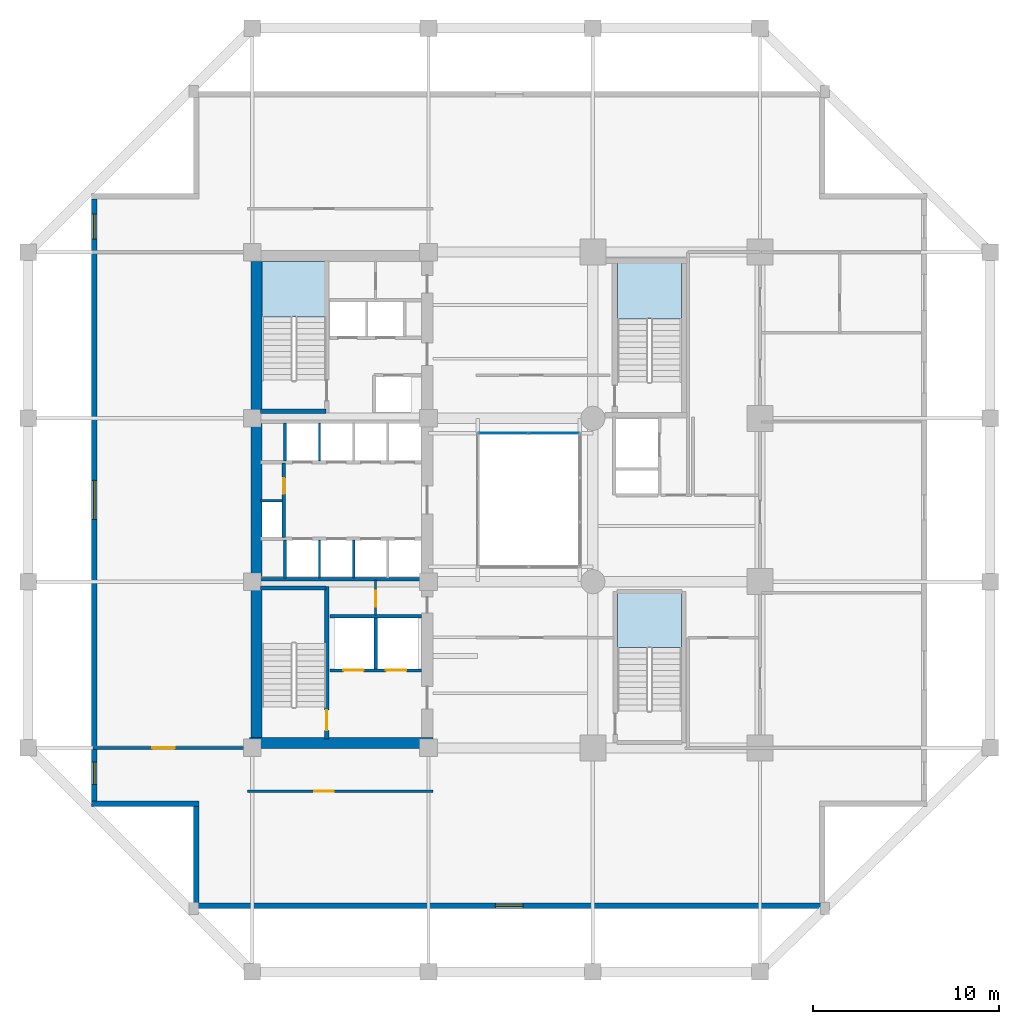
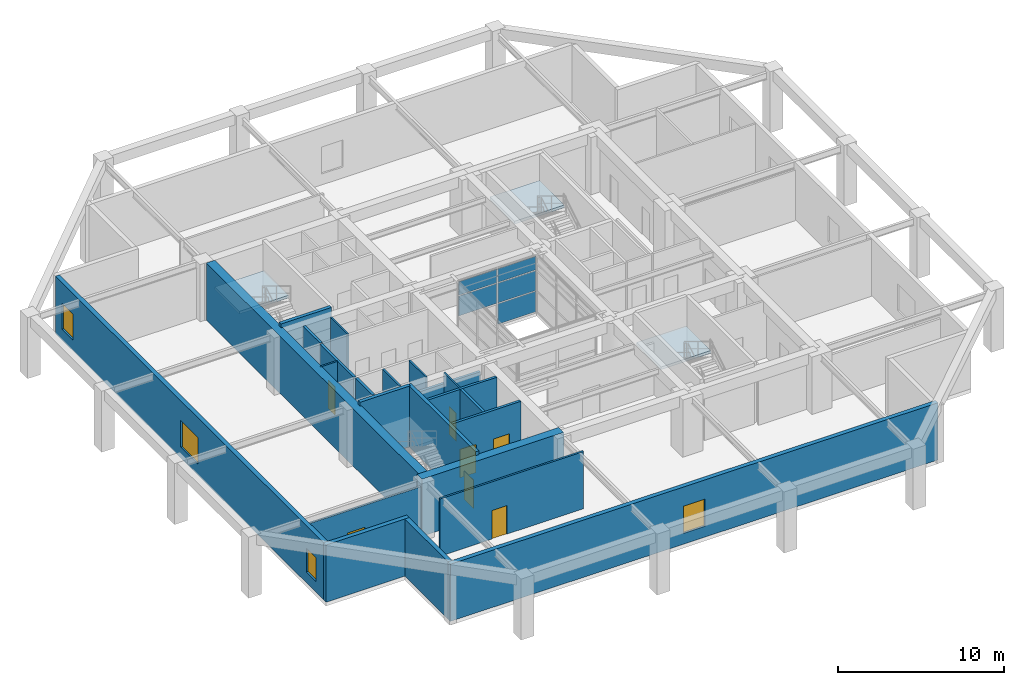
# One storey, part 6 of 10: 23 walls, 7 doors, 5 plates, 4 windows, 3 slabs, 11 openings, 4 elements without a shape of their own.
"""IFC4 building model written with IfcOpenShell, lengths in metres."""

import ifcopenshell
import ifcopenshell.guid

model = None  # the IFC model being written
_history = None  # IfcOwnerHistory: only IFC2X3 demands one
_inside = {}  # id of a spatial element -> (the spatial element, [elements in it])
_under = {}  # id of a project, library or spatial element -> (it, [spatial elements below it])
_declared = {}  # id of a project -> (the project, [libraries it declares])
_typed = {}  # id of a type object -> (the type object, [elements of that type])
_made_of = {}  # id of a material, layer set ... -> (it, [elements and type objects made of it])


def new_model(schema):
    """Start an empty IFC model of exactly this schema.

    Asked for "IFC4X3", IfcOpenShell would pick the latest addendum, in which some entities
    have other attributes; the version numbers below select the first issue.
    IFC2X3 requires an IfcOwnerHistory on every rooted entity: one is made here for all.
    """
    global model, _history
    if schema == "IFC4X3":
        model = ifcopenshell.file(schema_version=(4, 3, 0, 0))
    else:
        model = ifcopenshell.file(schema=schema)
    _inside.clear()
    _under.clear()
    _declared.clear()
    _typed.clear()
    _made_of.clear()
    _history = None
    if model.schema == "IFC2X3":
        org = make("IfcOrganization", Name="unknown")
        user = make(
            "IfcPersonAndOrganization",
            ThePerson=make("IfcPerson", FamilyName="unknown"),
            TheOrganization=org,
        )
        app = make(
            "IfcApplication",
            ApplicationDeveloper=org,
            Version="unknown",
            ApplicationFullName="unknown",
            ApplicationIdentifier="unknown",
        )
        _history = make(
            "IfcOwnerHistory",
            OwningUser=user,
            OwningApplication=app,
            ChangeAction="ADDED",
            CreationDate=0,
        )
    return model


def make(cls, **values):
    """One entity of the class cls with the attributes given. An attribute that is None is left unset."""
    return model.create_entity(
        cls, **{name: value for name, value in values.items() if value is not None}
    )


def rooted(cls, **values):
    """An entity with a GlobalId (a new one), such as an element, a storey or a relation."""
    return make(cls, GlobalId=ifcopenshell.guid.new(), OwnerHistory=_history, **values)


def si_unit(unit_type, name, prefix=None):
    """IfcSIUnit, for example si_unit("LENGTHUNIT", "METRE", prefix="MILLI")."""
    return make("IfcSIUnit", UnitType=unit_type, Prefix=prefix, Name=name)


def assignment(units):
    """IfcUnitAssignment: the units of a project."""
    return None if units is None else make("IfcUnitAssignment", Units=units)


def point(xyz):
    """IfcCartesianPoint."""
    return None if xyz is None else make("IfcCartesianPoint", Coordinates=xyz)


def direction(xyz):
    """IfcDirection."""
    return None if xyz is None else make("IfcDirection", DirectionRatios=xyz)


def frame(location, z_axis=None, x_axis=None):
    """IfcAxis2Placement3D, a coordinate frame: its origin and axes. An axis left out is left unset."""
    return make(
        "IfcAxis2Placement3D",
        Location=point(location),
        Axis=direction(z_axis),
        RefDirection=direction(x_axis),
    )


def frame_2d(location, x_axis=None):
    """IfcAxis2Placement2D, a coordinate frame in the plane: its origin and x axis."""
    return make(
        "IfcAxis2Placement2D", Location=point(location), RefDirection=direction(x_axis)
    )


def origin():
    """The frame at (0, 0, 0) with its axes left unset."""
    return frame((0.0, 0.0, 0.0))


def origin_2d():
    """The frame at (0, 0) in the plane with its x axis left unset."""
    return frame_2d((0.0, 0.0))


def place(relative_to, where):
    """IfcLocalPlacement: puts the frame where relative to a parent placement (None: the world)."""
    return make(
        "IfcLocalPlacement", PlacementRelTo=relative_to, RelativePlacement=where
    )


def context(
    kind, dimensions, precision=None, world=None, true_north=None, identifier=None
):
    """IfcGeometricRepresentationContext, for example the 3D "Model" context."""
    return make(
        "IfcGeometricRepresentationContext",
        ContextIdentifier=identifier,
        ContextType=kind,
        CoordinateSpaceDimension=dimensions,
        Precision=precision,
        WorldCoordinateSystem=world,
        TrueNorth=true_north,
    )


def subcontext(parent, identifier, kind, view, scale=None):
    """IfcGeometricRepresentationSubContext, for example "Body" below "Model"."""
    return make(
        "IfcGeometricRepresentationSubContext",
        ContextIdentifier=identifier,
        ContextType=kind,
        ParentContext=parent,
        TargetScale=scale,
        TargetView=view,
    )


def project(units=None, contexts=None):
    """IfcProject with its units and contexts."""
    return rooted(
        "IfcProject",
        Name="project",
        RepresentationContexts=contexts,
        UnitsInContext=assignment(units),
    )


def spatial(cls, under=None, at=None, **own):
    """A site, building, storey or space (cls), placed at a placement, below another one or the project."""
    s = rooted(cls, ObjectPlacement=at, **own)
    if under is not None:
        _under.setdefault(under.id(), (under, []))[1].append(s)
    return s


def polyline(points):
    """IfcPolyline through the points."""
    return make("IfcPolyline", Points=[point(p) for p in points])


def profile(cls, at=None, kind="AREA", **sizes):
    """A parametric profile (cls). Its sizes go by their IFC names, for example OverallWidth=200.0."""
    return make(cls, ProfileType=kind, Position=at, **sizes)


def rectangle(**sizes):
    """IfcRectangleProfileDef."""
    return profile("IfcRectangleProfileDef", **sizes)


def outline(outer, holes=None, kind="AREA"):
    """IfcArbitraryClosedProfileDef: a profile drawn as a closed curve; with holes, ...WithVoids."""
    if holes is None:
        return make("IfcArbitraryClosedProfileDef", ProfileType=kind, OuterCurve=outer)
    return make(
        "IfcArbitraryProfileDefWithVoids",
        ProfileType=kind,
        OuterCurve=outer,
        InnerCurves=holes,
    )


def extrude(swept, where, along, depth):
    """IfcExtrudedAreaSolid: the profile swept, set in the frame where, extruded along a direction by depth."""
    return make(
        "IfcExtrudedAreaSolid",
        SweptArea=swept,
        Position=where,
        ExtrudedDirection=direction(along),
        Depth=depth,
    )


def shape(context_of_items, identifier, shape_type, items):
    """IfcShapeRepresentation: the items that make up one representation, for example the "Body"."""
    return make(
        "IfcShapeRepresentation",
        ContextOfItems=context_of_items,
        RepresentationIdentifier=identifier,
        RepresentationType=shape_type,
        Items=items,
    )


def material(Name=None, Category=None):
    """IfcMaterial."""
    return make("IfcMaterial", Name=Name, Category=Category)


def layer(
    of_material, thickness, ventilated=None, Name=None, Category=None, Priority=None
):
    """IfcMaterialLayer: one layer of a wall or slab, of a material (None: an air gap)."""
    return make(
        "IfcMaterialLayer",
        Material=of_material,
        LayerThickness=thickness,
        IsVentilated=ventilated,
        Name=Name,
        Category=Category,
        Priority=Priority,
    )


def layer_set(layers, Name=None):
    """IfcMaterialLayerSet."""
    return make("IfcMaterialLayerSet", MaterialLayers=layers, LayerSetName=Name)


def made_of(thing, what):
    """Note that an element or type object is made of a material, layer set ...; save() writes the relation."""
    if what is not None:
        _made_of.setdefault(what.id(), (what, []))[1].append(thing)
    return thing


def type_object(cls, material=None, **own):
    """A type object (cls), such as IfcWallType, which elements share."""
    return made_of(rooted(cls, **own), material)


def element(
    cls,
    number,
    at=None,
    inside=None,
    cuts=None,
    type_object=None,
    material=None,
    context=None,
    identifier="Body",
    shape_type=None,
    held_by="IfcProductDefinitionShape",
    body=None,
    shapes=None,
    **own,
):
    """One element of the class cls, such as IfcWall. Its Tag is "e" and its number.

    at: its placement. inside: the storey or other place that contains it. cuts: it is an
    opening in that element (IfcRelVoidsElement). A single representation is given by context,
    identifier, shape_type and body (its items); several are given by shapes. held_by: the class
    of the entity that holds the representations. save() writes the other relations.
    """
    e = rooted(cls, Tag="e%d" % number, ObjectPlacement=at, **own)
    if body is not None:
        shapes = [shape(context, identifier, shape_type, body)]
    if shapes is not None:
        e.Representation = make(held_by, Representations=shapes)
    if inside is not None:
        _inside.setdefault(inside.id(), (inside, []))[1].append(e)
    if cuts is not None:
        rooted(
            "IfcRelVoidsElement", RelatingBuildingElement=cuts, RelatedOpeningElement=e
        )
    if type_object is not None:
        _typed.setdefault(type_object.id(), (type_object, []))[1].append(e)
    return made_of(e, material)


def fill(opening, filler):
    """IfcRelFillsElement: the door or window that sits in an opening."""
    return rooted(
        "IfcRelFillsElement",
        RelatingOpeningElement=opening,
        RelatedBuildingElement=filler,
    )


def aggregate(whole, parts):
    """IfcRelAggregates: a whole, such as a stair, and the parts it consists of."""
    return rooted("IfcRelAggregates", RelatingObject=whole, RelatedObjects=parts)


def save(model, path):
    """Write the relations noted so far, then the file.

    IfcRelAggregates (storeys below a building ...), IfcRelContainedInSpatialStructure (elements
    in a storey), IfcRelDefinesByType, IfcRelAssociatesMaterial and IfcRelDeclares: one each for
    every whole, place, type object, material and project.
    """
    for whole, parts in _under.values():
        aggregate(whole, parts)
    for where, things in _inside.values():
        rooted(
            "IfcRelContainedInSpatialStructure",
            RelatedElements=things,
            RelatingStructure=where,
        )
    for kind, things in _typed.values():
        rooted("IfcRelDefinesByType", RelatedObjects=things, RelatingType=kind)
    for what, things in _made_of.values():
        rooted("IfcRelAssociatesMaterial", RelatedObjects=things, RelatingMaterial=what)
    for by, libraries in _declared.values():
        rooted("IfcRelDeclares", RelatingContext=by, RelatedDefinitions=libraries)
    model.write(path)


model = new_model("IFC4")

# Units and contexts
model_context = context("Model", 3, precision=1e-05, world=origin(), true_north=direction((0.0, 1.0)))
body_context = subcontext(model_context, "Body", "Model", "MODEL_VIEW")
ifc_project = project(units=[si_unit("LENGTHUNIT", "METRE"), si_unit("AREAUNIT", "SQUARE_METRE"), si_unit("VOLUMEUNIT", "CUBIC_METRE"), si_unit("PLANEANGLEUNIT", "RADIAN"), si_unit("MASSUNIT", "GRAM", prefix="KILO")], contexts=[model_context])

# Site, building, storey
site_placement = place(None, origin())
site = spatial("IfcSite", under=ifc_project, at=site_placement, CompositionType="ELEMENT")
building_placement = place(site_placement, origin())
building = spatial("IfcBuilding", under=site, at=building_placement, Name="Kundavana Baori Tower", CompositionType="ELEMENT")
storey_placement = place(building_placement, frame((0.0, 0.0, 8.0)))
storey = spatial("IfcBuildingStorey", under=building, at=storey_placement, Name="L01", CompositionType="ELEMENT", Elevation=8.0)

# Curtain wall, plates
ifc_material_1 = material(Name="Thermally Broken Anodised Aluminium Framing", Category="aluminium")
ifc_layer_1 = layer(ifc_material_1, 0.159912109375, Name="CW-SYS-1")
ifc_layer_set_1 = layer_set([ifc_layer_1], Name="Thermally Broken Anodised Aluminium Framing")
curtain_wall_type = type_object("IfcCurtainWallType", Name="CW-SYS-1", PredefinedType="NOTDEFINED", material=ifc_layer_set_1)
curtain_wall_placement = place(storey_placement, origin())
curtain_wall = element("IfcCurtainWall", 1, at=curtain_wall_placement, inside=storey, type_object=curtain_wall_type, Name="L01 Atrium Glazed Curtain Wall N", PredefinedType="NOTDEFINED")
ifc_material_2 = material(Name="Double-Glazed Solar-Control Low-E Insulated Glass", Category="glass")
ifc_layer_2 = layer(ifc_material_2, 0.028076171875, Name="CW-PNL-GLS28")
ifc_layer_set_2 = layer_set([ifc_layer_2], Name="Double-Glazed Solar-Control Low-E Insulated Glass")
plate_type = type_object("IfcPlateType", Name="CW-PNL-GLS28", PredefinedType="CURTAIN_PANEL", material=ifc_layer_set_2)
plate_1_placement = place(storey_placement, frame((31.708740234375, 32.199951171875, 0.06494140625), z_axis=(0.0, 0.0, 1.0), x_axis=(-1.0, 0.0, 0.0)))
plate_1 = element("IfcPlate", 2, at=plate_1_placement, type_object=plate_type, Name="CW1 panel 1.1", PredefinedType="CURTAIN_PANEL", context=body_context, shape_type="SweptSolid", body=[
    extrude(rectangle(XDim=2.652587890625, YDim=0.028076171875, at=origin_2d()), origin(), (0.0, 0.0, 1.0), 1.506103515625),
])
plate_2_placement = place(storey_placement, frame((31.708740234375, 32.199951171875, 1.63623046875), z_axis=(0.0, 0.0, 1.0), x_axis=(-1.0, 0.0, 0.0)))
plate_2 = element("IfcPlate", 3, at=plate_2_placement, type_object=plate_type, Name="CW1 panel 1.2", PredefinedType="CURTAIN_PANEL", context=body_context, shape_type="SweptSolid", body=[
    extrude(rectangle(XDim=2.652587890625, YDim=0.028076171875, at=origin_2d()), origin(), (0.0, 0.0, 1.0), 1.4541015625),
])
plate_3_placement = place(storey_placement, frame((31.708740234375, 32.199951171875, 3.1552734375), z_axis=(0.0, 0.0, 1.0), x_axis=(-1.0, 0.0, 0.0)))
plate_3 = element("IfcPlate", 4, at=plate_3_placement, type_object=plate_type, Name="CW1 panel 1.3", PredefinedType="CURTAIN_PANEL", context=body_context, shape_type="SweptSolid", body=[
    extrude(rectangle(XDim=2.652587890625, YDim=0.028076171875, at=origin_2d()), origin(), (0.0, 0.0, 1.0), 0.999755859375),
])
plate_4_placement = place(storey_placement, frame((28.9912109375, 32.199951171875, 1.63623046875), z_axis=(0.0, 0.0, 1.0), x_axis=(-1.0, 0.0, 0.0)))
plate_4 = element("IfcPlate", 5, at=plate_4_placement, type_object=plate_type, Name="CW1 panel 2.2", PredefinedType="CURTAIN_PANEL", context=body_context, shape_type="SweptSolid", body=[
    extrude(rectangle(XDim=2.652587890625, YDim=0.028076171875, at=origin_2d()), origin(), (0.0, 0.0, 1.0), 1.4541015625),
])
plate_5_placement = place(storey_placement, frame((28.9912109375, 32.199951171875, 3.1552734375), z_axis=(0.0, 0.0, 1.0), x_axis=(-1.0, 0.0, 0.0)))
plate_5 = element("IfcPlate", 6, at=plate_5_placement, type_object=plate_type, Name="CW1 panel 2.3", PredefinedType="CURTAIN_PANEL", context=body_context, shape_type="SweptSolid", body=[
    extrude(rectangle(XDim=2.652587890625, YDim=0.028076171875, at=origin_2d()), origin(), (0.0, 0.0, 1.0), 0.999755859375),
])
aggregate(curtain_wall, [plate_1, plate_2, plate_3, plate_4, plate_5])

# Stair, slab
ifc_material_3 = material(Name="Concrete C40/50", Category="concrete")
stair_type = type_object("IfcStairType", Name="STR-DOG-1650", PredefinedType="HALF_TURN_STAIR", material=ifc_material_3)
stair_1_placement = place(storey_placement, origin())
stair_1 = element("IfcStair", 7, at=stair_1_placement, inside=storey, type_object=stair_type, Name="L01 Protected Exit Stair ST2", PredefinedType="HALF_TURN_STAIR")
ifc_material_4 = material(Name="Concrete C40/50", Category="concrete")
ifc_layer_3 = layer(ifc_material_4, 0.199951171875, Name="SLB-LND-200")
ifc_layer_set_3 = layer_set([ifc_layer_3], Name="Concrete C40/50")
slab_type = type_object("IfcSlabType", Name="SLB-LND-200", PredefinedType="LANDING", material=ifc_layer_set_3)
slab_1_placement = place(storey_placement, frame((0.0, 0.0, 2.050048828125)))
slab_1 = element("IfcSlab", 8, at=slab_1_placement, type_object=slab_type, Name="ST2 landing 1", PredefinedType="LANDING", context=body_context, shape_type="SweptSolid", body=[
    extrude(outline(polyline([(19.43994140625, 38.4599609375), (19.43994140625, 41.449951171875), (15.97998046875, 41.449951171875), (15.97998046875, 38.4599609375), (19.43994140625, 38.4599609375)])), origin(), (0.0, 0.0, 1.0), 0.199951171875),
])
aggregate(stair_1, [slab_1])

stair_2_placement = place(storey_placement, origin())
stair_2 = element("IfcStair", 9, at=stair_2_placement, inside=storey, type_object=stair_type, Name="L01 Protected Exit Stair ST3", PredefinedType="HALF_TURN_STAIR")
slab_2_placement = place(storey_placement, frame((0.0, 0.0, 2.050048828125)))
slab_2 = element("IfcSlab", 10, at=slab_2_placement, type_object=slab_type, Name="ST3 landing 1", PredefinedType="LANDING", context=body_context, shape_type="SweptSolid", body=[
    extrude(outline(polyline([(38.580078125, 38.360107421875), (38.580078125, 41.35009765625), (35.1201171875, 41.35009765625), (35.1201171875, 38.360107421875), (38.580078125, 38.360107421875)])), origin(), (0.0, 0.0, 1.0), 0.199951171875),
])
aggregate(stair_2, [slab_2])

stair_3_placement = place(storey_placement, origin())
stair_3 = element("IfcStair", 11, at=stair_3_placement, inside=storey, type_object=stair_type, Name="L01 Podium Atrium Stair ST4", PredefinedType="HALF_TURN_STAIR")
slab_3_placement = place(storey_placement, frame((0.0, 0.0, 2.050048828125)))
slab_3 = element("IfcSlab", 12, at=slab_3_placement, type_object=slab_type, Name="ST4 landing 1", PredefinedType="LANDING", context=body_context, shape_type="SweptSolid", body=[
    extrude(outline(polyline([(38.580078125, 20.659912109375), (38.580078125, 23.64990234375), (35.1201171875, 23.64990234375), (35.1201171875, 20.659912109375), (38.580078125, 20.659912109375)])), origin(), (0.0, 0.0, 1.0), 0.199951171875),
])
aggregate(stair_3, [slab_3])

# Wall, opening, door
ifc_material_5 = material(Name="Concrete C50/60", Category="concrete")
ifc_layer_4 = layer(ifc_material_5, 0.39990234375, Name="WL-CORE-400")
ifc_layer_set_4 = layer_set([ifc_layer_4], Name="Concrete C50/60")
wall_type_1 = type_object("IfcWallType", Name="WL-CORE-400", PredefinedType="SHEAR", material=ifc_layer_set_4)
wall_1_placement = place(storey_placement, frame((19.4599609375, 15.739990234375, 0.0), z_axis=(0.0, 0.0, 1.0), x_axis=(0.0, 1.0, 0.0)))
wall_1 = element("IfcWall", 13, at=wall_1_placement, inside=storey, type_object=wall_type_1, Name="WL-L01-ST1-E", PredefinedType="SHEAR", context=body_context, shape_type="SweptSolid", body=[
    extrude(rectangle(XDim=8.199951171875, YDim=0.239990234375, at=frame_2d((4.10009765625, 0.0))), origin(), (0.0, 0.0, 1.0), 4.5),
])
opening_1_placement = place(wall_1_placement, frame((0.449951171875, 0.0, 0.0)))
opening_1 = element("IfcOpeningElement", 14, at=opening_1_placement, cuts=wall_1, Name="Opening FD-110", PredefinedType="OPENING", context=body_context, shape_type="SweptSolid", body=[
    extrude(rectangle(XDim=1.10009765625, YDim=2.10009765625, at=frame_2d((0.550048828125, 1.050048828125))), frame((0.0, 0.1298828125, 0.0), z_axis=(0.0, -1.0, 0.0), x_axis=(1.0, 0.0, 0.0)), (0.0, 0.0, 1.0), 0.260009765625),
])
ifc_material_6 = material(Name="Galvanised Steel Fire-Rated Door Leaf", Category="steel")
door_type_1 = type_object("IfcDoorType", Name="DR-FD120-1100", OperationType="NOTDEFINED", PredefinedType="DOOR", material=ifc_material_6)
door_1_placement = place(opening_1_placement, origin())
door_1 = element("IfcDoor", 15, at=door_1_placement, inside=storey, type_object=door_type_1, Name="DR-L01-ST1", OperationType="SINGLE_SWING_LEFT", OverallHeight=2.10009765625, OverallWidth=1.10009765625, PredefinedType="DOOR", context=body_context, shape_type="SweptSolid", body=[
    extrude(rectangle(XDim=1.10009765625, YDim=2.10009765625, at=frame_2d((0.550048828125, 1.050048828125))), frame((0.0, 0.02490234375, 0.0), z_axis=(0.0, -1.0, 0.0), x_axis=(1.0, 0.0, 0.0)), (0.0, 0.0, 1.0), 0.050048828125),
])
fill(opening_1, door_1)

# Walls
for number, where, z_axis, x_axis, name in (
    (16, (15.89990234375, 23.860107421875, 0.0), (0.0, 0.0, 1.0), (1.0, 0.0, 0.0), "WL-L01-ST1-N"),
    (17, (15.89990234375, 33.389892578125, 0.0), (0.0, 0.0, 1.0), (1.0, 0.0, 0.0), "WL-L01-ST2-S"),
):
    element("IfcWall", number, at=place(storey_placement, frame(where, z_axis=z_axis, x_axis=x_axis)), inside=storey, type_object=wall_type_1, Name=name, PredefinedType="SHEAR", context=body_context, shape_type="SweptSolid", body=[
        extrude(rectangle(XDim=3.52001953125, YDim=0.239990234375, at=frame_2d((1.760009765625, 0.0))), origin(), (0.0, 0.0, 1.0), 4.5),
    ])
ifc_material_7 = material(Name="Concrete C60/75", Category="concrete")
ifc_layer_5 = layer(ifc_material_7, 0.60009765625, Name="WL-CORE-600")
ifc_layer_set_5 = layer_set([ifc_layer_5], Name="Concrete C60/75")
wall_type_2 = type_object("IfcWallType", Name="WL-CORE-600", PredefinedType="SHEAR", material=ifc_layer_set_5)
wall_2_placement = place(storey_placement, frame((15.300048828125, 15.510009765625, 0.0), z_axis=(0.0, 0.0, 1.0), x_axis=(1.0, 0.0, 0.0)))
element("IfcWall", 18, at=wall_2_placement, inside=storey, type_object=wall_type_2, Name="L01 Offset Core South Shear Wall", PredefinedType="SHEAR", context=body_context, shape_type="SweptSolid", body=[
    extrude(rectangle(XDim=9.8798828125, YDim=0.60009765625, at=frame_2d((4.93994140625, 0.0))), origin(), (0.0, 0.0, 1.0), 4.219970703125),
])
wall_3_placement = place(storey_placement, frame((15.68994140625, 15.81005859375, 0.0), z_axis=(0.0, 0.0, 1.0), x_axis=(0.0, 1.0, 0.0)))
element("IfcWall", 19, at=wall_3_placement, inside=storey, type_object=wall_type_2, Name="L01 Offset Core West Shear Wall", PredefinedType="SHEAR", context=body_context, shape_type="SweptSolid", body=[
    extrude(rectangle(XDim=25.6298828125, YDim=0.60009765625, at=frame_2d((12.81494140625, 0.0))), origin(), (0.0, 0.0, 1.0), 4.219970703125),
])

# Wall, opening, window
ifc_material_8 = material(Name="Red-Buff Dholpur Sandstone Cladding on Concrete C40/50", Category="masonry")
ifc_layer_6 = layer(ifc_material_8, 0.300048828125, Name="WL-EXT-SAND-300")
ifc_layer_set_6 = layer_set([ifc_layer_6], Name="Red-Buff Dholpur Sandstone Cladding on Concrete C40/50")
wall_type_3 = type_object("IfcWallType", Name="WL-EXT-SAND-300", PredefinedType="STANDARD", material=ifc_layer_set_6)
wall_4_placement = place(storey_placement, frame((12.300048828125, 6.75, 0.0), z_axis=(0.0, 0.0, 1.0), x_axis=(1.0, 0.0, 0.0)))
wall_4 = element("IfcWall", 20, at=wall_4_placement, inside=storey, type_object=wall_type_3, Name="L01 Exterior Insulated Facade Wall 01", PredefinedType="STANDARD", context=body_context, shape_type="SweptSolid", body=[
    extrude(rectangle(XDim=34.0, YDim=0.300048828125, at=frame_2d((17.0, 0.0))), origin(), (0.0, 0.0, 1.0), 4.219970703125),
])
opening_2_placement = place(wall_4_placement, frame((16.25, 0.0, 0.800048828125)))
opening_2 = element("IfcOpeningElement", 21, at=opening_2_placement, cuts=wall_4, Name="Opening W-02", PredefinedType="OPENING", context=body_context, shape_type="SweptSolid", body=[
    extrude(rectangle(XDim=1.5, YDim=2.0, at=frame_2d((0.75, 1.0))), frame((0.0, 0.16015625, 0.0), z_axis=(0.0, -1.0, 0.0), x_axis=(1.0, 0.0, 0.0)), (0.0, 0.0, 1.0), 0.320068359375),
])
ifc_material_9 = material(Name="Double-Glazed Solar-Control Low-E Insulated Glass", Category="glass")
window_type_1 = type_object("IfcWindowType", Name="WIN-LOG-1500x2000", PartitioningType="SINGLE_PANEL", PredefinedType="WINDOW", material=ifc_material_9)
window_1_placement = place(opening_2_placement, origin())
window_1 = element("IfcWindow", 22, at=window_1_placement, inside=storey, type_object=window_type_1, Name="L01 Recessed Loggia Window S-1", OverallHeight=2.0, OverallWidth=1.5, PartitioningType="SINGLE_PANEL", PredefinedType="WINDOW", context=body_context, shape_type="SweptSolid", body=[
    extrude(rectangle(XDim=1.5, YDim=2.0, at=frame_2d((0.75, 1.0))), frame((0.0, 0.030029296875, 0.0), z_axis=(0.0, -1.0, 0.0), x_axis=(1.0, 0.0, 0.0)), (0.0, 0.0, 1.0), 0.06005859375),
])
fill(opening_2, window_1)

# Wall, openings, windows
wall_5_placement = place(storey_placement, frame((6.949951171875, 44.800048828125, 0.0), z_axis=(0.0, 0.0, 1.0), x_axis=(0.0, -1.0, 0.0)))
wall_5 = element("IfcWall", 23, at=wall_5_placement, inside=storey, type_object=wall_type_3, Name="L01 Exterior Insulated Facade Wall 10", PredefinedType="STANDARD", context=body_context, shape_type="SweptSolid", body=[
    extrude(rectangle(XDim=32.400146484375, YDim=0.300048828125, at=frame_2d((16.2001953125, 0.0))), origin(), (0.0, 0.0, 1.0), 4.219970703125),
])
opening_3_placement = place(wall_5_placement, frame((30.320068359375, 0.0, 0.800048828125)))
opening_3 = element("IfcOpeningElement", 24, at=opening_3_placement, cuts=wall_5, Name="Opening W-03", PredefinedType="OPENING", context=body_context, shape_type="SweptSolid", body=[
    extrude(rectangle(XDim=1.199951171875, YDim=1.75, at=frame_2d((0.60009765625, 0.875))), frame((0.0, 0.16015625, 0.0), z_axis=(0.0, -1.0, 0.0), x_axis=(1.0, 0.0, 0.0)), (0.0, 0.0, 1.0), 0.320068359375),
])
opening_4_placement = place(wall_5_placement, frame((15.14990234375, 0.0, 0.800048828125)))
opening_4 = element("IfcOpeningElement", 25, at=opening_4_placement, cuts=wall_5, Name="Opening W-05", PredefinedType="OPENING", context=body_context, shape_type="SweptSolid", body=[
    extrude(rectangle(XDim=2.10009765625, YDim=1.949951171875, at=frame_2d((1.050048828125, 0.97509765625))), frame((0.0, 0.16015625, 0.0), z_axis=(0.0, -1.0, 0.0), x_axis=(1.0, 0.0, 0.0)), (0.0, 0.0, 1.0), 0.320068359375),
])
opening_5_placement = place(wall_5_placement, frame((0.804931640625, 0.0, 0.800048828125)))
opening_5 = element("IfcOpeningElement", 26, at=opening_5_placement, cuts=wall_5, Name="Opening W-07", PredefinedType="OPENING", context=body_context, shape_type="SweptSolid", body=[
    extrude(rectangle(XDim=1.35009765625, YDim=1.89990234375, at=frame_2d((0.675048828125, 0.949951171875))), frame((0.0, 0.16015625, 0.0), z_axis=(0.0, -1.0, 0.0), x_axis=(1.0, 0.0, 0.0)), (0.0, 0.0, 1.0), 0.320068359375),
])
ifc_material_10 = material(Name="Double-Glazed Solar-Control Low-E Insulated Glass", Category="glass")
window_type_2 = type_object("IfcWindowType", Name="WIN-LOG-1200x1750", PartitioningType="SINGLE_PANEL", PredefinedType="WINDOW", material=ifc_material_10)
window_2_placement = place(opening_3_placement, origin())
window_2 = element("IfcWindow", 27, at=window_2_placement, inside=storey, type_object=window_type_2, Name="L01 Recessed Loggia Window W-1", OverallHeight=1.75, OverallWidth=1.199951171875, PartitioningType="SINGLE_PANEL", PredefinedType="WINDOW", context=body_context, shape_type="SweptSolid", body=[
    extrude(rectangle(XDim=1.199951171875, YDim=1.75, at=frame_2d((0.60009765625, 0.875))), frame((0.0, 0.030029296875, 0.0), z_axis=(0.0, -1.0, 0.0), x_axis=(1.0, 0.0, 0.0)), (0.0, 0.0, 1.0), 0.06005859375),
])
fill(opening_3, window_2)
ifc_material_11 = material(Name="Double-Glazed Solar-Control Low-E Insulated Glass", Category="glass")
window_type_3 = type_object("IfcWindowType", Name="WIN-LOG-1350x1900", PartitioningType="SINGLE_PANEL", PredefinedType="WINDOW", material=ifc_material_11)
window_3_placement = place(opening_5_placement, origin())
window_3 = element("IfcWindow", 28, at=window_3_placement, inside=storey, type_object=window_type_3, Name="L01 Recessed Loggia Window W-3", OverallHeight=1.89990234375, OverallWidth=1.35009765625, PartitioningType="SINGLE_PANEL", PredefinedType="WINDOW", context=body_context, shape_type="SweptSolid", body=[
    extrude(rectangle(XDim=1.35009765625, YDim=1.89990234375, at=frame_2d((0.675048828125, 0.949951171875))), frame((0.0, 0.030029296875, 0.0), z_axis=(0.0, -1.0, 0.0), x_axis=(1.0, 0.0, 0.0)), (0.0, 0.0, 1.0), 0.06005859375),
])
fill(opening_5, window_3)
ifc_material_12 = material(Name="Double-Glazed Solar-Control Low-E Insulated Glass", Category="glass")
window_type_4 = type_object("IfcWindowType", Name="WIN-LOG-2100x1950", PartitioningType="SINGLE_PANEL", PredefinedType="WINDOW", material=ifc_material_12)
window_4_placement = place(opening_4_placement, origin())
window_4 = element("IfcWindow", 29, at=window_4_placement, inside=storey, type_object=window_type_4, Name="L01 Recessed Loggia Window W-2", OverallHeight=1.949951171875, OverallWidth=2.10009765625, PartitioningType="SINGLE_PANEL", PredefinedType="WINDOW", context=body_context, shape_type="SweptSolid", body=[
    extrude(rectangle(XDim=2.10009765625, YDim=1.949951171875, at=frame_2d((1.050048828125, 0.97509765625))), frame((0.0, 0.030029296875, 0.0), z_axis=(0.0, -1.0, 0.0), x_axis=(1.0, 0.0, 0.0)), (0.0, 0.0, 1.0), 0.06005859375),
])
fill(opening_4, window_4)

# Walls
wall_6_placement = place(storey_placement, frame((6.800048828125, 12.25, 0.0), z_axis=(0.0, 0.0, 1.0), x_axis=(1.0, 0.0, 0.0)))
element("IfcWall", 30, at=wall_6_placement, inside=storey, type_object=wall_type_3, Name="L01 Exterior Insulated Facade Wall 11", PredefinedType="STANDARD", context=body_context, shape_type="SweptSolid", body=[
    extrude(rectangle(XDim=5.800048828125, YDim=0.300048828125, at=frame_2d((2.89990234375, 0.0))), origin(), (0.0, 0.0, 1.0), 4.219970703125),
])
wall_7_placement = place(storey_placement, frame((12.449951171875, 12.10009765625, 0.0), z_axis=(0.0, 0.0, 1.0), x_axis=(0.0, -1.0, 0.0)))
element("IfcWall", 31, at=wall_7_placement, inside=storey, type_object=wall_type_3, Name="L01 Exterior Insulated Facade Wall 12", PredefinedType="STANDARD", context=body_context, shape_type="SweptSolid", body=[
    extrude(rectangle(XDim=5.2001953125, YDim=0.300048828125, at=frame_2d((2.60009765625, 0.0))), origin(), (0.0, 0.0, 1.0), 4.219970703125),
])

# Wall, opening, door
ifc_material_13 = material(Name="Acoustic Gypsum Plasterboard on Galvanised Steel Studs", Category="steel")
ifc_layer_7 = layer(ifc_material_13, 0.1201171875, Name="WL-PART-120")
ifc_layer_set_7 = layer_set([ifc_layer_7], Name="Acoustic Gypsum Plasterboard on Galvanised Steel Studs")
wall_type_4 = type_object("IfcWallType", Name="WL-PART-120", PredefinedType="PARTITIONING", material=ifc_layer_set_7)
wall_8_placement = place(storey_placement, frame((22.10009765625, 22.39990234375, 0.0), z_axis=(0.0, 0.0, 1.0), x_axis=(0.0, 1.0, 0.0)))
wall_8 = element("IfcWall", 32, at=wall_8_placement, inside=storey, type_object=wall_type_4, Name="WL-L01-CSMK-D1", PredefinedType="PARTITIONING", context=body_context, shape_type="SweptSolid", body=[
    extrude(rectangle(XDim=1.880126953125, YDim=0.1201171875, at=frame_2d((0.93994140625, 0.0))), origin(), (0.0, 0.0, 1.0), 4.219970703125),
])
opening_6_placement = place(wall_8_placement, frame((0.449951171875, 0.0, 0.0)))
opening_6 = element("IfcOpeningElement", 33, at=opening_6_placement, cuts=wall_8, Name="Opening FD-085", PredefinedType="OPENING", context=body_context, shape_type="SweptSolid", body=[
    extrude(rectangle(XDim=0.85009765625, YDim=2.06005859375, at=frame_2d((0.425048828125, 1.030029296875))), frame((0.0, 0.070068359375, 0.0), z_axis=(0.0, -1.0, 0.0), x_axis=(1.0, 0.0, 0.0)), (0.0, 0.0, 1.0), 0.14013671875),
])
ifc_material_14 = material(Name="Galvanised Steel Fire-Rated Door Leaf", Category="steel")
door_type_2 = type_object("IfcDoorType", Name="DR-FD60-850", OperationType="NOTDEFINED", PredefinedType="DOOR", material=ifc_material_14)
door_2_placement = place(opening_6_placement, origin())
door_2 = element("IfcDoor", 34, at=door_2_placement, inside=storey, type_object=door_type_2, Name="DR-L01-CSMK1", OperationType="SINGLE_SWING_LEFT", OverallHeight=2.06005859375, OverallWidth=0.85009765625, PredefinedType="DOOR", context=body_context, shape_type="SweptSolid", body=[
    extrude(rectangle(XDim=0.85009765625, YDim=2.06005859375, at=frame_2d((0.425048828125, 1.030029296875))), frame((0.0, 0.02490234375, 0.0), z_axis=(0.0, -1.0, 0.0), x_axis=(1.0, 0.0, 0.0)), (0.0, 0.0, 1.0), 0.050048828125),
])
fill(opening_6, door_2)

# Walls
for number, where, z_axis, x_axis, name in (
    (35, (19.080078125, 24.39990234375, 0.0), (0.0, 0.0, 1.0), (0.0, 1.0, 0.0), "WL-L01-LPLOW-D1"),
    (36, (20.919921875, 24.39990234375, 0.0), (0.0, 0.0, 1.0), (0.0, 1.0, 0.0), "WL-L01-LPLOW-D2"),
):
    element("IfcWall", number, at=place(storey_placement, frame(where, z_axis=z_axis, x_axis=x_axis)), inside=storey, type_object=wall_type_4, Name=name, PredefinedType="PARTITIONING", context=body_context, shape_type="SweptSolid", body=[
        extrude(rectangle(XDim=2.050048828125, YDim=0.1201171875, at=frame_2d((1.02490234375, 0.0))), origin(), (0.0, 0.0, 1.0), 4.219970703125),
    ])
wall_9_placement = place(storey_placement, frame((15.89990234375, 28.56005859375, 0.0), z_axis=(0.0, 0.0, 1.0), x_axis=(1.0, 0.0, 0.0)))
element("IfcWall", 37, at=wall_9_placement, inside=storey, type_object=wall_type_4, Name="WL-L01-RSRW-N", PredefinedType="PARTITIONING", context=body_context, shape_type="SweptSolid", body=[
    extrude(rectangle(XDim=1.2001953125, YDim=0.1201171875, at=frame_2d((0.60009765625, 0.0))), origin(), (0.0, 0.0, 1.0), 4.219970703125),
])
wall_10_placement = place(storey_placement, frame((19.080078125, 30.699951171875, 0.0), z_axis=(0.0, 0.0, 1.0), x_axis=(0.0, 1.0, 0.0)))
element("IfcWall", 38, at=wall_10_placement, inside=storey, type_object=wall_type_4, Name="WL-L01-LPMID-D1", PredefinedType="PARTITIONING", context=body_context, shape_type="SweptSolid", body=[
    extrude(rectangle(XDim=2.050048828125, YDim=0.1201171875, at=frame_2d((1.02490234375, 0.0))), origin(), (0.0, 0.0, 1.0), 4.219970703125),
])

# Wall, opening, door
ifc_material_15 = material(Name="Acoustic Gypsum Plasterboard on Galvanised Steel Studs", Category="steel")
ifc_layer_8 = layer(ifc_material_15, 0.135009765625, Name="WL-PART-135")
ifc_layer_set_8 = layer_set([ifc_layer_8], Name="Acoustic Gypsum Plasterboard on Galvanised Steel Studs")
wall_type_5 = type_object("IfcWallType", Name="WL-PART-135", PredefinedType="PARTITIONING", material=ifc_layer_set_8)
wall_11_placement = place(storey_placement, frame((15.199951171875, 12.919921875, 0.0), z_axis=(0.0, 0.0, 1.0), x_axis=(1.0, 0.0, 0.0)))
wall_11 = element("IfcWall", 39, at=wall_11_placement, inside=storey, type_object=wall_type_5, Name="WL-L01-SC", PredefinedType="PARTITIONING", context=body_context, shape_type="SweptSolid", body=[
    extrude(rectangle(XDim=10.0, YDim=0.135009765625, at=frame_2d((5.0, 0.0))), origin(), (0.0, 0.0, 1.0), 4.219970703125),
])
opening_7_placement = place(wall_11_placement, frame((3.60009765625, 0.0, 0.0)))
opening_7 = element("IfcOpeningElement", 40, at=opening_7_placement, cuts=wall_11, Name="Opening ID-105", PredefinedType="OPENING", context=body_context, shape_type="SweptSolid", body=[
    extrude(rectangle(XDim=1.050048828125, YDim=2.10009765625, at=frame_2d((0.52490234375, 1.050048828125))), frame((0.0, 0.07763671875, 0.0), z_axis=(0.0, -1.0, 0.0), x_axis=(1.0, 0.0, 0.0)), (0.0, 0.0, 1.0), 0.155029296875),
])
ifc_material_16 = material(Name="Engineered Teak Solid-Core Timber Veneer", Category="wood")
door_type_3 = type_object("IfcDoorType", Name="DR-INT-1050", OperationType="NOTDEFINED", PredefinedType="DOOR", material=ifc_material_16)
door_3_placement = place(opening_7_placement, frame((1.050048828125, 0.0, 0.0), z_axis=(0.0, 0.0, 1.0), x_axis=(-1.0, 0.0, 0.0)))
door_3 = element("IfcDoor", 41, at=door_3_placement, inside=storey, type_object=door_type_3, Name="DR-L01-RSW", OperationType="SINGLE_SWING_LEFT", OverallHeight=2.10009765625, OverallWidth=1.050048828125, PredefinedType="DOOR", context=body_context, shape_type="SweptSolid", body=[
    extrude(rectangle(XDim=1.050048828125, YDim=2.10009765625, at=frame_2d((0.52490234375, 1.050048828125))), frame((0.0, 0.02490234375, 0.0), z_axis=(0.0, -1.0, 0.0), x_axis=(1.0, 0.0, 0.0)), (0.0, 0.0, 1.0), 0.050048828125),
])
fill(opening_7, door_3)

ifc_material_17 = material(Name="Fire-Rated Gypsum Drywall on Galvanised Steel Studs", Category="steel")
ifc_layer_9 = layer(ifc_material_17, 0.14990234375, Name="WL-PART-150")
ifc_layer_set_9 = layer_set([ifc_layer_9], Name="Fire-Rated Gypsum Drywall on Galvanised Steel Studs")
wall_type_6 = type_object("IfcWallType", Name="WL-PART-150", PredefinedType="PARTITIONING", material=ifc_layer_set_9)
wall_12_placement = place(storey_placement, frame((6.8798828125, 15.25, 0.0), z_axis=(0.0, 0.0, 1.0), x_axis=(1.0, 0.0, 0.0)))
wall_12 = element("IfcWall", 42, at=wall_12_placement, inside=storey, type_object=wall_type_6, Name="WL-L01-PW-S", PredefinedType="PARTITIONING", context=body_context, shape_type="SweptSolid", body=[
    extrude(rectangle(XDim=8.320068359375, YDim=0.14990234375, at=frame_2d((4.16015625, 0.0))), origin(), (0.0, 0.0, 1.0), 3.719970703125),
])
opening_8_placement = place(wall_12_placement, frame((3.199951171875, 0.0, 0.0)))
opening_8 = element("IfcOpeningElement", 43, at=opening_8_placement, cuts=wall_12, Name="Opening ID-120", PredefinedType="OPENING", context=body_context, shape_type="SweptSolid", body=[
    extrude(rectangle(XDim=1.199951171875, YDim=2.10009765625, at=frame_2d((0.60009765625, 1.050048828125))), frame((0.0, 0.0849609375, 0.0), z_axis=(0.0, -1.0, 0.0), x_axis=(1.0, 0.0, 0.0)), (0.0, 0.0, 1.0), 0.169921875),
])
ifc_material_18 = material(Name="Engineered Teak Solid-Core Timber Veneer", Category="wood")
door_type_4 = type_object("IfcDoorType", Name="DR-INT-1200", OperationType="NOTDEFINED", PredefinedType="DOOR", material=ifc_material_18)
door_4_placement = place(opening_8_placement, origin())
door_4 = element("IfcDoor", 44, at=door_4_placement, inside=storey, type_object=door_type_4, Name="DR-L01-GALW", OperationType="SINGLE_SWING_LEFT", OverallHeight=2.10009765625, OverallWidth=1.199951171875, PredefinedType="DOOR", context=body_context, shape_type="SweptSolid", body=[
    extrude(rectangle(XDim=1.199951171875, YDim=2.10009765625, at=frame_2d((0.60009765625, 1.050048828125))), frame((0.0, 0.02490234375, 0.0), z_axis=(0.0, -1.0, 0.0), x_axis=(1.0, 0.0, 0.0)), (0.0, 0.0, 1.0), 0.050048828125),
])
fill(opening_8, door_4)

# Wall, openings, doors
ifc_material_19 = material(Name="Autoclaved Aerated Concrete Blockwork Masonry", Category="masonry")
ifc_layer_10 = layer(ifc_material_19, 0.179931640625, Name="WL-SHAFT-180")
ifc_layer_set_10 = layer_set([ifc_layer_10], Name="Autoclaved Aerated Concrete Blockwork Masonry")
wall_type_7 = type_object("IfcWallType", Name="WL-SHAFT-180", PredefinedType="SOLIDWALL", material=ifc_layer_set_10)
wall_13_placement = place(storey_placement, frame((19.639892578125, 19.419921875, 0.0), z_axis=(0.0, 0.0, 1.0), x_axis=(1.0, 0.0, 0.0)))
wall_13 = element("IfcWall", 45, at=wall_13_placement, inside=storey, type_object=wall_type_7, Name="WL-L01-FFL-S", PredefinedType="SOLIDWALL", context=body_context, shape_type="SweptSolid", body=[
    extrude(rectangle(XDim=4.940185546875, YDim=0.179931640625, at=frame_2d((2.47021484375, 0.0))), origin(), (0.0, 0.0, 1.0), 4.219970703125),
])
opening_9_placement = place(wall_13_placement, frame((0.719970703125, 0.0, 0.0)))
opening_9 = element("IfcOpeningElement", 46, at=opening_9_placement, cuts=wall_13, Name="Opening LD-110", PredefinedType="OPENING", context=body_context, shape_type="SweptSolid", body=[
    extrude(rectangle(XDim=1.10009765625, YDim=2.10009765625, at=frame_2d((0.550048828125, 1.050048828125))), frame((0.0, 0.10009765625, 0.0), z_axis=(0.0, -1.0, 0.0), x_axis=(1.0, 0.0, 0.0)), (0.0, 0.0, 1.0), 0.199951171875),
])
opening_10_placement = place(wall_13_placement, frame((3.02001953125, 0.0, 0.0)))
opening_10 = element("IfcOpeningElement", 47, at=opening_10_placement, cuts=wall_13, Name="Opening LD-110", PredefinedType="OPENING", context=body_context, shape_type="SweptSolid", body=[
    extrude(rectangle(XDim=1.10009765625, YDim=2.10009765625, at=frame_2d((0.550048828125, 1.050048828125))), frame((0.0, 0.10009765625, 0.0), z_axis=(0.0, -1.0, 0.0), x_axis=(1.0, 0.0, 0.0)), (0.0, 0.0, 1.0), 0.199951171875),
])
ifc_material_20 = material(Name="Galvanised Steel Fire-Rated Door Leaf", Category="steel")
door_type_5 = type_object("IfcDoorType", Name="DR-SLIDE-LD1100", OperationType="NOTDEFINED", PredefinedType="DOOR", material=ifc_material_20)
door_5_placement = place(opening_9_placement, origin())
door_5 = element("IfcDoor", 48, at=door_5_placement, inside=storey, type_object=door_type_5, Name="DR-L01-LD-FFL-1", OperationType="DOUBLE_DOOR_SLIDING", OverallHeight=2.10009765625, OverallWidth=1.10009765625, PredefinedType="DOOR", context=body_context, shape_type="SweptSolid", body=[
    extrude(rectangle(XDim=1.10009765625, YDim=2.10009765625, at=frame_2d((0.550048828125, 1.050048828125))), frame((0.0, 0.02490234375, 0.0), z_axis=(0.0, -1.0, 0.0), x_axis=(1.0, 0.0, 0.0)), (0.0, 0.0, 1.0), 0.050048828125),
])
fill(opening_9, door_5)
door_6_placement = place(opening_10_placement, origin())
door_6 = element("IfcDoor", 49, at=door_6_placement, inside=storey, type_object=door_type_5, Name="DR-L01-LD-FFL-2", OperationType="DOUBLE_DOOR_SLIDING", OverallHeight=2.10009765625, OverallWidth=1.10009765625, PredefinedType="DOOR", context=body_context, shape_type="SweptSolid", body=[
    extrude(rectangle(XDim=1.10009765625, YDim=2.10009765625, at=frame_2d((0.550048828125, 1.050048828125))), frame((0.0, 0.02490234375, 0.0), z_axis=(0.0, -1.0, 0.0), x_axis=(1.0, 0.0, 0.0)), (0.0, 0.0, 1.0), 0.050048828125),
])
fill(opening_10, door_6)

# Walls
wall_14_placement = place(storey_placement, frame((22.10009765625, 19.510009765625, 0.0), z_axis=(0.0, 0.0, 1.0), x_axis=(0.0, 1.0, 0.0)))
element("IfcWall", 50, at=wall_14_placement, inside=storey, type_object=wall_type_7, Name="WL-L01-FFL-MID", PredefinedType="SOLIDWALL", context=body_context, shape_type="SweptSolid", body=[
    extrude(rectangle(XDim=2.739990234375, YDim=0.179931640625, at=frame_2d((1.3701171875, 0.0))), origin(), (0.0, 0.0, 1.0), 4.219970703125),
])
wall_15_placement = place(storey_placement, frame((19.639892578125, 22.340087890625, 0.0), z_axis=(0.0, 0.0, 1.0), x_axis=(1.0, 0.0, 0.0)))
element("IfcWall", 51, at=wall_15_placement, inside=storey, type_object=wall_type_7, Name="WL-L01-FFL-N", PredefinedType="SOLIDWALL", context=body_context, shape_type="SweptSolid", body=[
    extrude(rectangle(XDim=4.940185546875, YDim=0.179931640625, at=frame_2d((2.47021484375, 0.0))), origin(), (0.0, 0.0, 1.0), 4.219970703125),
])
wall_16_placement = place(storey_placement, frame((15.89990234375, 24.330078125, 0.0), z_axis=(0.0, 0.0, 1.0), x_axis=(1.0, 0.0, 0.0)))
element("IfcWall", 52, at=wall_16_placement, inside=storey, type_object=wall_type_7, Name="WL-L01-LPLOW-S", PredefinedType="SOLIDWALL", context=body_context, shape_type="SweptSolid", body=[
    extrude(rectangle(XDim=8.68017578125, YDim=0.179931640625, at=frame_2d((4.340087890625, 0.0))), origin(), (0.0, 0.0, 1.0), 3.419921875),
])
wall_17_placement = place(storey_placement, frame((17.219970703125, 24.39990234375, 0.0), z_axis=(0.0, 0.0, 1.0), x_axis=(0.0, 1.0, 0.0)))
element("IfcWall", 53, at=wall_17_placement, inside=storey, type_object=wall_type_7, Name="WL-L01-LPLOW-W", PredefinedType="SOLIDWALL", context=body_context, shape_type="SweptSolid", body=[
    extrude(rectangle(XDim=2.050048828125, YDim=0.179931640625, at=frame_2d((1.02490234375, 0.0))), origin(), (0.0, 0.0, 1.0), 4.219970703125),
])

# Wall, opening, door
wall_18_placement = place(storey_placement, frame((17.159912109375, 26.580078125, 0.0), z_axis=(0.0, 0.0, 1.0), x_axis=(0.0, 1.0, 0.0)))
wall_18 = element("IfcWall", 54, at=wall_18_placement, inside=storey, type_object=wall_type_7, Name="WL-L01-RSRW-E", PredefinedType="SOLIDWALL", context=body_context, shape_type="SweptSolid", body=[
    extrude(rectangle(XDim=4.02001953125, YDim=0.179931640625, at=frame_2d((2.010009765625, 0.0))), origin(), (0.0, 0.0, 1.0), 4.219970703125),
])
opening_11_placement = place(wall_18_placement, frame((2.35009765625, 0.0, 0.0)))
opening_11 = element("IfcOpeningElement", 55, at=opening_11_placement, cuts=wall_18, Name="Opening FD-085", PredefinedType="OPENING", context=body_context, shape_type="SweptSolid", body=[
    extrude(rectangle(XDim=0.85009765625, YDim=2.06005859375, at=frame_2d((0.425048828125, 1.030029296875))), frame((0.0, 0.10009765625, 0.0), z_axis=(0.0, -1.0, 0.0), x_axis=(1.0, 0.0, 0.0)), (0.0, 0.0, 1.0), 0.199951171875),
])
door_7_placement = place(opening_11_placement, origin())
door_7 = element("IfcDoor", 56, at=door_7_placement, inside=storey, type_object=door_type_2, Name="DR-L01-CLN", OperationType="SINGLE_SWING_RIGHT", OverallHeight=2.06005859375, OverallWidth=0.85009765625, PredefinedType="DOOR", context=body_context, shape_type="SweptSolid", body=[
    extrude(rectangle(XDim=0.85009765625, YDim=2.06005859375, at=frame_2d((0.425048828125, 1.030029296875))), frame((0.0, 0.02490234375, 0.0), z_axis=(0.0, -1.0, 0.0), x_axis=(1.0, 0.0, 0.0)), (0.0, 0.0, 1.0), 0.050048828125),
])
fill(opening_11, door_7)

# Wall
wall_19_placement = place(storey_placement, frame((17.219970703125, 30.699951171875, 0.0), z_axis=(0.0, 0.0, 1.0), x_axis=(0.0, 1.0, 0.0)))
element("IfcWall", 57, at=wall_19_placement, inside=storey, type_object=wall_type_7, Name="WL-L01-LPMID-W", PredefinedType="SOLIDWALL", context=body_context, shape_type="SweptSolid", body=[
    extrude(rectangle(XDim=2.050048828125, YDim=0.179931640625, at=frame_2d((1.02490234375, 0.0))), origin(), (0.0, 0.0, 1.0), 4.219970703125),
])

save(model, "model.ifc")
